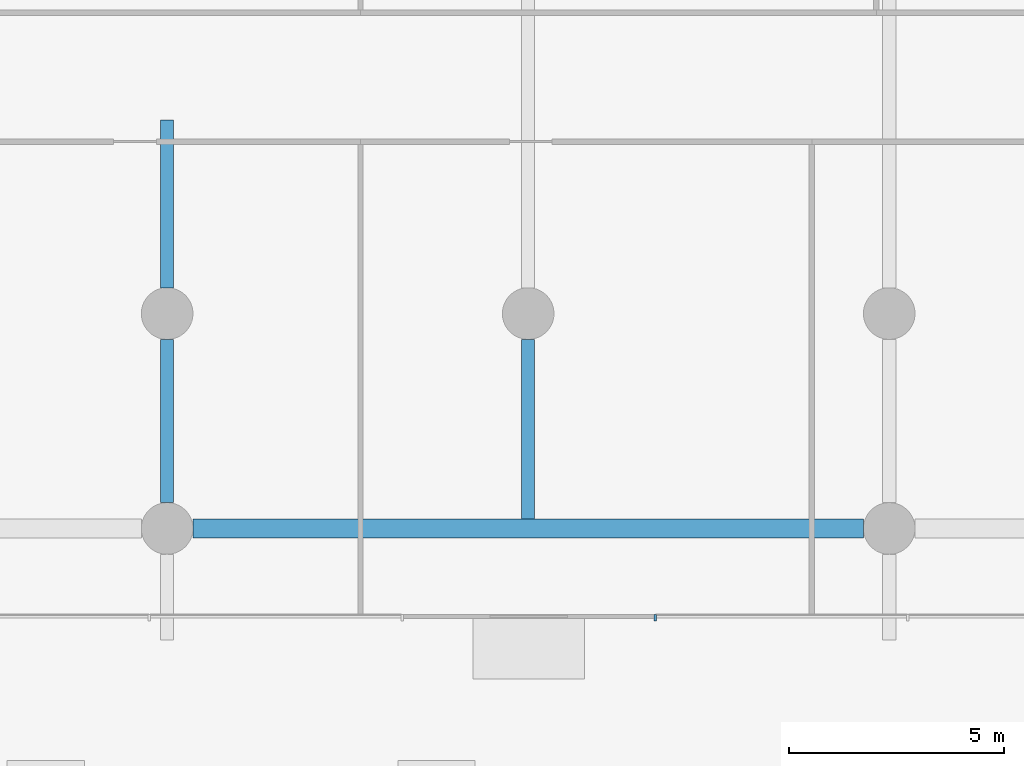
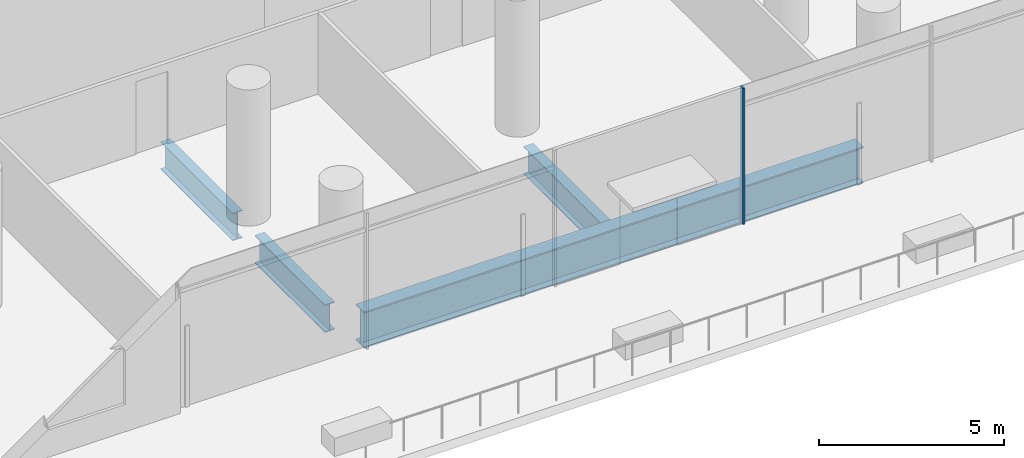
# One storey, part 10 of 43: 4 beams, 1 member, 1 element without a shape of its own.
"""IFC4 building model written with IfcOpenShell, lengths in metres."""

from ifc_helpers import new_model, si_unit, direction, frame, origin, origin_2d, place, context, subcontext, project, spatial, rectangle, i_section, extrude, material, material_profile, profile_set, type_object, element, aggregate, save


model = new_model("IFC4")

# Units and contexts
model_context = context("Model", 3, precision=1e-05, world=origin(), true_north=direction((0.0, 1.0)))
body_context = subcontext(model_context, "Body", "Model", "MODEL_VIEW")
ifc_project = project(units=[si_unit("LENGTHUNIT", "METRE"), si_unit("AREAUNIT", "SQUARE_METRE"), si_unit("VOLUMEUNIT", "CUBIC_METRE"), si_unit("PLANEANGLEUNIT", "RADIAN"), si_unit("MASSUNIT", "GRAM", prefix="KILO")], contexts=[model_context])

# Site, building, storey
site_placement = place(None, origin())
site = spatial("IfcSite", under=ifc_project, at=site_placement, CompositionType="ELEMENT")
building_placement = place(site_placement, origin())
building = spatial("IfcBuilding", under=site, at=building_placement, Name="Rimbun Link Towers", CompositionType="ELEMENT")
storey_placement = place(building_placement, frame((0.0, 0.0, 12.0)))
storey = spatial("IfcBuildingStorey", under=building, at=storey_placement, Name="L02", CompositionType="ELEMENT", Elevation=12.0)

# Curtain wall, member
ifc_material_1 = material(Name="Aluminium 6063-T6 and low-iron glass", Category="aluminium")
curtain_wall_type = type_object("IfcCurtainWallType", Name="CW3 podium shopfront", PredefinedType="NOTDEFINED", material=ifc_material_1)
curtain_wall_placement = place(storey_placement, origin())
curtain_wall = element("IfcCurtainWall", 1, at=curtain_wall_placement, inside=storey, type_object=curtain_wall_type, Name="CW3 L02 PD", PredefinedType="NOTDEFINED")
ifc_material_2 = material(Name="Aluminium 6063-T6", Category="aluminium")
ifc_material_profile_1 = material_profile(ifc_material_2, rectangle(XDim=0.14990234375, YDim=0.06005859375, at=origin_2d()), Name="MULLION 60X150")
ifc_profile_set_1 = profile_set([ifc_material_profile_1], Name="Aluminium 6063-T6")
member_type = type_object("IfcMemberType", Name="CW3 mullion 60X150", PredefinedType="MULLION", material=ifc_profile_set_1)
member_placement = place(storey_placement, frame((32.35302734375, -38.074951171875, 0.0), z_axis=(0.0, 0.0, 1.0), x_axis=(0.0, -1.0, 0.0)))
member = element("IfcMember", 2, at=member_placement, type_object=member_type, Name="CW3 mullion", PredefinedType="MULLION", context=body_context, shape_type="SweptSolid", body=[
    extrude(rectangle(XDim=0.14990234375, YDim=0.06005859375, at=origin_2d()), origin(), (0.0, 0.0, 1.0), 4.5),
])
aggregate(curtain_wall, [member])

# Beams
ifc_material_3 = material(Name="Steel S355J2", Category="steel")
ifc_material_profile_2 = material_profile(ifc_material_3, i_section(OverallWidth=0.449951171875, OverallDepth=1.199951171875, WebThickness=0.030029296875, FlangeThickness=0.044921875, at=origin_2d()), Name="PG 1200x450x30/45")
ifc_profile_set_2 = profile_set([ifc_material_profile_2], Name="Steel S355J2")
beam_type_1 = type_object("IfcBeamType", Name="PG 1200x450x30/45", PredefinedType="BEAM", material=ifc_profile_set_2)
beam_1_placement = place(storey_placement, frame((21.60009765625, -36.0, -0.89990234375), z_axis=(1.0, 0.0, 0.0), x_axis=(0.0, 1.0, 0.0)))
element("IfcBeam", 3, at=beam_1_placement, inside=storey, type_object=beam_type_1, Name="Grid beam L02 -36.0", PredefinedType="BEAM", context=body_context, shape_type="SweptSolid", body=[
    extrude(i_section(OverallWidth=0.449951171875, OverallDepth=1.199951171875, WebThickness=0.030029296875, FlangeThickness=0.044921875, at=origin_2d()), origin(), (0.0, 0.0, 1.0), 15.599853515625),
])
ifc_material_4 = material(Name="Steel S355J2", Category="steel")
ifc_material_profile_3 = material_profile(ifc_material_4, i_section(OverallWidth=0.305419921875, OverallDepth=0.91845703125, WebThickness=0.017333984375, FlangeThickness=0.02783203125, at=origin_2d()), Name="UB 914x305x253")
ifc_profile_set_3 = profile_set([ifc_material_profile_3], Name="Steel S355J2")
beam_type_2 = type_object("IfcBeamType", Name="UB 914x305x253", PredefinedType="BEAM", material=ifc_profile_set_3)
beam_2_placement = place(storey_placement, frame((21.0, -35.39990234375, -0.75927734375), z_axis=(0.0, 1.0, 0.0), x_axis=(-1.0, 0.0, 0.0)))
element("IfcBeam", 4, at=beam_2_placement, inside=storey, type_object=beam_type_2, Name="Grid beam L02 +21.0", PredefinedType="BEAM", context=body_context, shape_type="SweptSolid", body=[
    extrude(i_section(OverallWidth=0.305419921875, OverallDepth=0.91845703125, WebThickness=0.017333984375, FlangeThickness=0.02783203125, at=origin_2d()), origin(), (0.0, 0.0, 1.0), 3.7998046875),
])
beam_3_placement = place(storey_placement, frame((21.0, -30.39990234375, -0.75927734375), z_axis=(0.0, 1.0, 0.0), x_axis=(-1.0, 0.0, 0.0)))
element("IfcBeam", 5, at=beam_3_placement, inside=storey, type_object=beam_type_2, Name="Grid beam L02 +21.0", PredefinedType="BEAM", context=body_context, shape_type="SweptSolid", body=[
    extrude(i_section(OverallWidth=0.305419921875, OverallDepth=0.91845703125, WebThickness=0.017333984375, FlangeThickness=0.02783203125, at=origin_2d()), origin(), (0.0, 0.0, 1.0), 3.89990234375),
])
beam_4_placement = place(storey_placement, frame((29.39990234375, -35.77490234375, -0.75927734375), z_axis=(0.0, 1.0, 0.0), x_axis=(-1.0, 0.0, 0.0)))
element("IfcBeam", 6, at=beam_4_placement, inside=storey, type_object=beam_type_2, Name="Grid beam L02 +29.4", PredefinedType="BEAM", context=body_context, shape_type="SweptSolid", body=[
    extrude(i_section(OverallWidth=0.305419921875, OverallDepth=0.91845703125, WebThickness=0.017333984375, FlangeThickness=0.02783203125, at=origin_2d()), origin(), (0.0, 0.0, 1.0), 4.1748046875),
])

save(model, "model.ifc")
